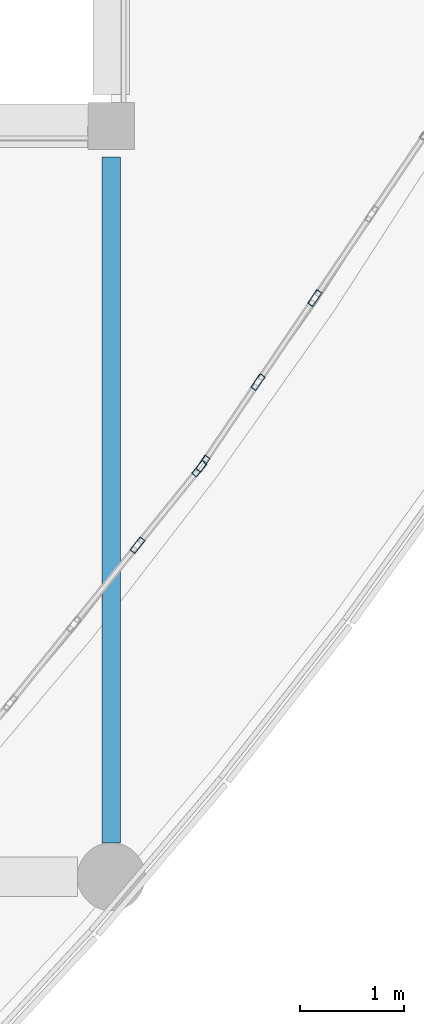
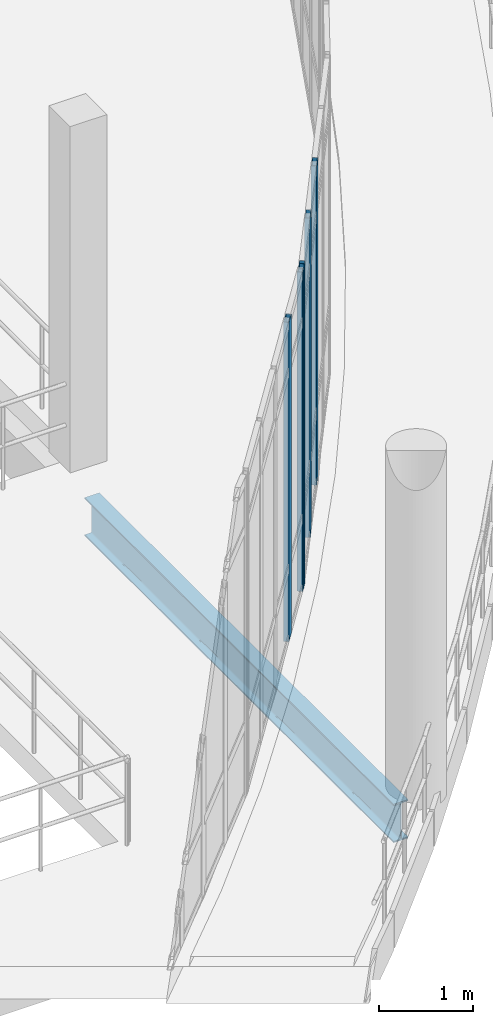
# One storey, part 41 of 116: 5 members, 1 beam, 2 elements without a shape of their own.
"""IFC4 building model written with IfcOpenShell, lengths in metres."""

from ifc_helpers import new_model, si_unit, direction, frame, origin, origin_2d, place, context, subcontext, project, spatial, hollow_rectangle, i_section, extrude, material, material_profile, profile_set, type_object, element, aggregate, save


model = new_model("IFC4")

# Units and contexts
model_context = context("Model", 3, precision=1e-05, world=origin(), true_north=direction((0.0, 1.0)))
body_context = subcontext(model_context, "Body", "Model", "MODEL_VIEW")
ifc_project = project(units=[si_unit("LENGTHUNIT", "METRE"), si_unit("AREAUNIT", "SQUARE_METRE"), si_unit("VOLUMEUNIT", "CUBIC_METRE"), si_unit("PLANEANGLEUNIT", "RADIAN"), si_unit("MASSUNIT", "GRAM", prefix="KILO")], contexts=[model_context])

# Site, building, storey
site_placement = place(None, origin())
site = spatial("IfcSite", under=ifc_project, at=site_placement, CompositionType="ELEMENT")
building_placement = place(site_placement, origin())
building = spatial("IfcBuilding", under=site, at=building_placement, Name="Kalluvel Institute of Natural Sciences", CompositionType="ELEMENT")
storey_placement = place(building_placement, frame((0.0, 0.0, 14.39990234375)))
storey = spatial("IfcBuildingStorey", under=building, at=storey_placement, Name="L03", CompositionType="ELEMENT", Elevation=14.39990234375)

# Beam
ifc_material_1 = material(Name="Steel E350 Grade 350", Category="steel")
ifc_material_profile_1 = material_profile(ifc_material_1, i_section(OverallWidth=0.179931640625, OverallDepth=0.5, WebThickness=0.01025390625, FlangeThickness=0.01708984375, FilletRadius=0.01708984375, at=origin_2d()), Name="ISMB 500")
ifc_profile_set_1 = profile_set([ifc_material_profile_1], Name="Steel E350 Grade 350")
beam_type = type_object("IfcBeamType", Name="BM-ISMB500", PredefinedType="BEAM", material=ifc_profile_set_1)
beam_placement = place(storey_placement, frame((71.60009765625, 71.925048828125, -0.56982421875), z_axis=(0.0, 1.0, 0.0), x_axis=(-1.0, 0.0, 0.0)))
element("IfcBeam", 1, at=beam_placement, inside=storey, type_object=beam_type, Name="L03 girder GIR-L03-NS-X716-Y716", PredefinedType="BEAM", context=body_context, shape_type="SweptSolid", body=[
    extrude(i_section(OverallWidth=0.179931640625, OverallDepth=0.5, WebThickness=0.01025390625, FlangeThickness=0.01708984375, FilletRadius=0.01708984375, at=origin_2d()), origin(), (0.0, 0.0, 1.0), 6.574951171875),
])

# Curtain wall, members
ifc_material_2 = material(Name="Aluminium AW-6063 T6", Category="aluminium")
curtain_wall_type = type_object("IfcCurtainWallType", Name="CW-ATR-ARC", PredefinedType="USERDEFINED", material=ifc_material_2)
curtain_wall_1_placement = place(storey_placement, origin())
curtain_wall_1 = element("IfcCurtainWall", 2, at=curtain_wall_1_placement, inside=storey, type_object=curtain_wall_type, Name="L03 Gothic lancet curtain wall CWA-L03-X700-Y725", ObjectType="UNITISED LANCET FACADE", PredefinedType="USERDEFINED")
ifc_material_profile_2 = material_profile(ifc_material_2, hollow_rectangle(XDim=0.06005859375, YDim=0.159912109375, WallThickness=0.00390625, at=origin_2d()), Name="CWM 60x160")
ifc_profile_set_2 = profile_set([ifc_material_profile_2], Name="Aluminium AW-6063 T6")
member_type = type_object("IfcMemberType", Name="CWM-60x160", PredefinedType="MULLION", material=ifc_profile_set_2)
member_1_placement = place(storey_placement, frame((71.85205078125, 74.779052734375, 0.0), z_axis=(0.0, 0.0, 1.0), x_axis=(-0.778028124454, 0.628229446586, 0.0)))
member_1 = element("IfcMember", 3, at=member_1_placement, type_object=member_type, Name="CW-05 mullion 4", PredefinedType="MULLION", context=body_context, shape_type="SweptSolid", body=[
    extrude(hollow_rectangle(XDim=0.06005859375, YDim=0.159912109375, WallThickness=0.00390625, at=origin_2d()), origin(), (0.0, 0.0, 1.0), 4.150146484375),
])
member_2_placement = place(storey_placement, frame((72.4443359375, 75.5126953125, 0.0), z_axis=(0.0, 0.0, 1.0), x_axis=(-0.778028124454, 0.628229446586, 0.0)))
member_2 = element("IfcMember", 4, at=member_2_placement, type_object=member_type, Name="CW-05 mullion 5", PredefinedType="MULLION", context=body_context, shape_type="SweptSolid", body=[
    extrude(hollow_rectangle(XDim=0.06005859375, YDim=0.159912109375, WallThickness=0.00390625, at=origin_2d()), origin(), (0.0, 0.0, 1.0), 4.150146484375),
])
aggregate(curtain_wall_1, [member_1, member_2])

curtain_wall_2_placement = place(storey_placement, origin())
curtain_wall_2 = element("IfcCurtainWall", 5, at=curtain_wall_2_placement, inside=storey, type_object=curtain_wall_type, Name="L03 Gothic lancet curtain wall CWA-L03-X725-Y755", ObjectType="UNITISED LANCET FACADE", PredefinedType="USERDEFINED")
member_3_placement = place(storey_placement, frame((72.47998046875, 75.56103515625, 0.0), z_axis=(0.0, 0.0, 1.0), x_axis=(-0.82851132146, 0.559972312005, 0.0)))
member_3 = element("IfcMember", 6, at=member_3_placement, type_object=member_type, Name="CW-05 mullion 1", PredefinedType="MULLION", context=body_context, shape_type="SweptSolid", body=[
    extrude(hollow_rectangle(XDim=0.06005859375, YDim=0.159912109375, WallThickness=0.00390625, at=origin_2d()), origin(), (0.0, 0.0, 1.0), 4.150146484375),
])
member_4_placement = place(storey_placement, frame((73.008056640625, 76.34228515625, 0.0), z_axis=(0.0, 0.0, 1.0), x_axis=(-0.82851132146, 0.559972312005, 0.0)))
member_4 = element("IfcMember", 7, at=member_4_placement, type_object=member_type, Name="CW-05 mullion 2", PredefinedType="MULLION", context=body_context, shape_type="SweptSolid", body=[
    extrude(hollow_rectangle(XDim=0.06005859375, YDim=0.159912109375, WallThickness=0.00390625, at=origin_2d()), origin(), (0.0, 0.0, 1.0), 4.150146484375),
])
member_5_placement = place(storey_placement, frame((73.552978515625, 77.148193359375, 0.0), z_axis=(0.0, 0.0, 1.0), x_axis=(-0.82851132146, 0.559972312005, 0.0)))
member_5 = element("IfcMember", 8, at=member_5_placement, type_object=member_type, Name="CW-05 mullion 3", PredefinedType="MULLION", context=body_context, shape_type="SweptSolid", body=[
    extrude(hollow_rectangle(XDim=0.06005859375, YDim=0.159912109375, WallThickness=0.00390625, at=origin_2d()), origin(), (0.0, 0.0, 1.0), 4.150146484375),
])
aggregate(curtain_wall_2, [member_3, member_4, member_5])

save(model, "model.ifc")
